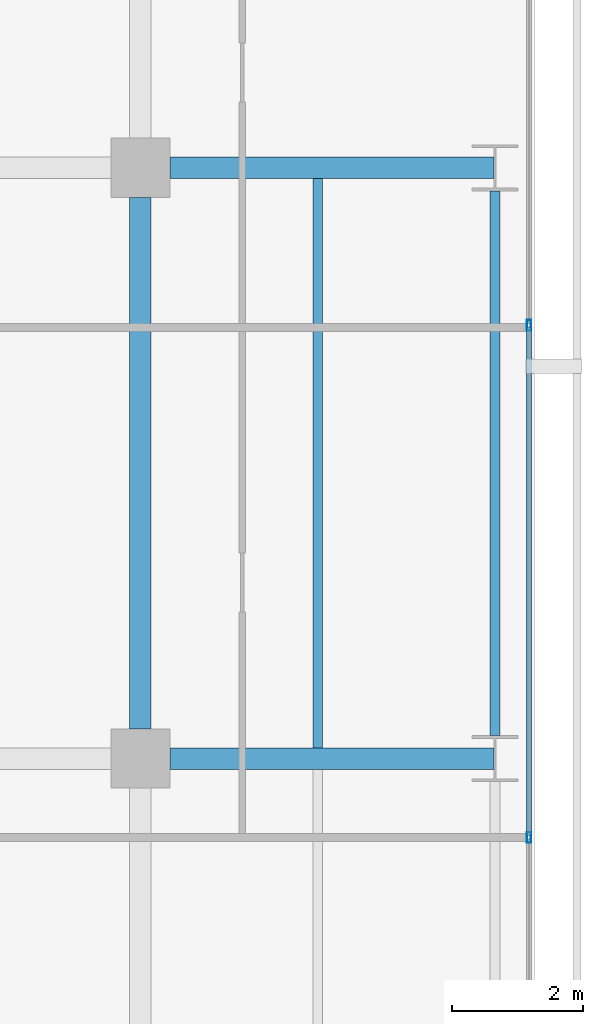
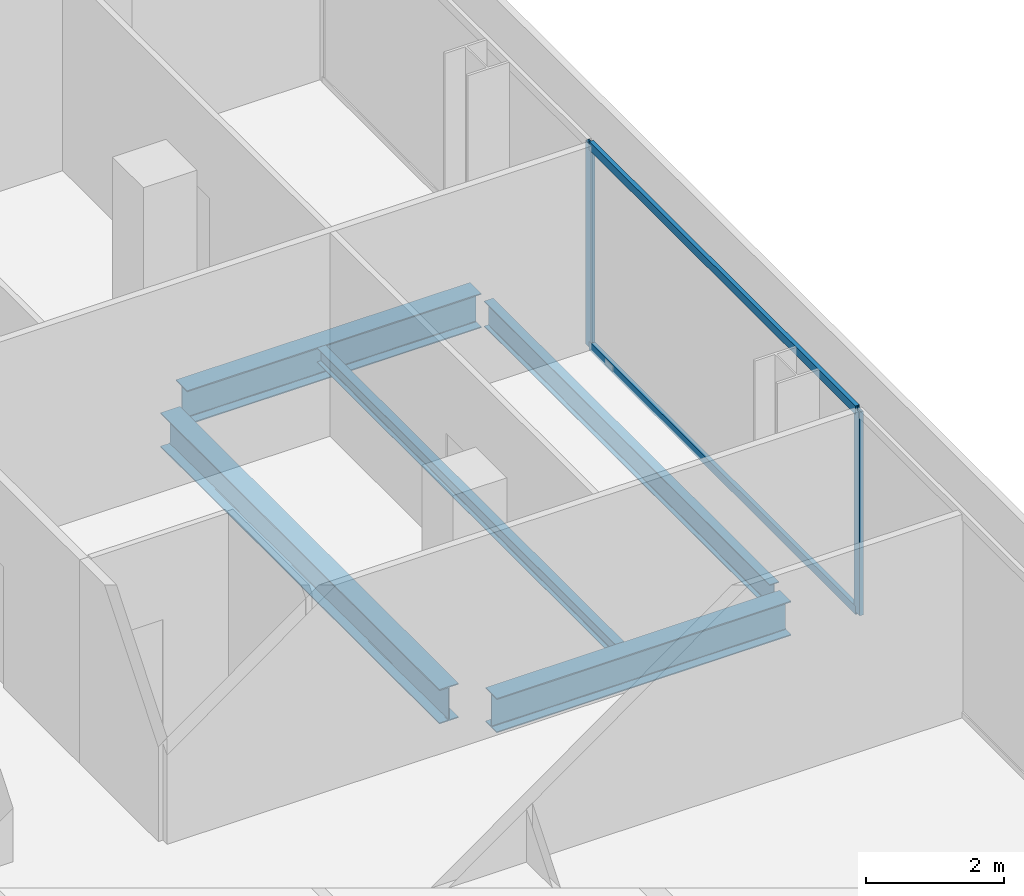
# One storey, part 28 of 40: 5 beams, 4 members, 1 element without a shape of its own.
"""IFC4 building model written with IfcOpenShell, lengths in metres."""

from ifc_helpers import new_model, si_unit, direction, frame, origin, origin_2d, place, context, subcontext, project, spatial, hollow_rectangle, i_section, extrude, material, layer, layer_set, material_profile, profile_set, type_object, element, aggregate, save


model = new_model("IFC4")

# Units and contexts
model_context = context("Model", 3, precision=1e-05, world=origin(), true_north=direction((0.0, 1.0)))
body_context = subcontext(model_context, "Body", "Model", "MODEL_VIEW")
ifc_project = project(units=[si_unit("LENGTHUNIT", "METRE"), si_unit("AREAUNIT", "SQUARE_METRE"), si_unit("VOLUMEUNIT", "CUBIC_METRE"), si_unit("PLANEANGLEUNIT", "RADIAN"), si_unit("MASSUNIT", "GRAM", prefix="KILO")], contexts=[model_context])

# Site, building, storey
site_placement = place(None, origin())
site = spatial("IfcSite", under=ifc_project, at=site_placement, CompositionType="ELEMENT")
building_placement = place(site_placement, origin())
building = spatial("IfcBuilding", under=site, at=building_placement, Name="Maruvema Waterfront Hotel and Observation Tower", CompositionType="ELEMENT")
storey_placement = place(building_placement, frame((0.0, 0.0, 96.25)))
storey = spatial("IfcBuildingStorey", under=building, at=storey_placement, Name="L23", CompositionType="ELEMENT", Elevation=96.25)

# Curtain wall, members
ifc_material_1 = material(Name="Anodised bronze aluminium and solar-control low-E IGU", Category="aluminium")
ifc_layer = layer(ifc_material_1, 0.159912109375, Name="Zone 1 Bronze Inner Thermal Curtain Wall System CW-02")
ifc_layer_set = layer_set([ifc_layer], Name="Anodised bronze aluminium and solar-control low-E IGU")
curtain_wall_type = type_object("IfcCurtainWallType", Name="Zone 1 Bronze Inner Thermal Curtain Wall System CW-02", PredefinedType="USERDEFINED", material=ifc_layer_set)
curtain_wall_placement = place(storey_placement, origin())
curtain_wall = element("IfcCurtainWall", 1, at=curtain_wall_placement, inside=storey, type_object=curtain_wall_type, Name="L23 Curtain Wall CW-L23-E", ObjectType="UNITISED CURTAIN WALL", PredefinedType="USERDEFINED")
ifc_material_2 = material(Name="Anodised architectural bronze aluminium", Category="aluminium")
ifc_material_profile_1 = material_profile(ifc_material_2, hollow_rectangle(XDim=0.070068359375, YDim=0.14990234375, WallThickness=0.00390625, at=origin_2d()), Name="ALU-T70x150")
ifc_profile_set_1 = profile_set([ifc_material_profile_1], Name="Anodised architectural bronze aluminium")
member_type_1 = type_object("IfcMemberType", Name="Curtain Wall Horizontal Transom ALU-T70x150", PredefinedType="USERDEFINED", material=ifc_profile_set_1)
member_1_placement = place(storey_placement, frame((64.719970703125, 34.830078125, 0.030029296875), z_axis=(0.0, 1.0, 0.0), x_axis=(-1.0, 0.0, 0.0)))
member_1 = element("IfcMember", 2, at=member_1_placement, type_object=member_type_1, Name="CW-02 transom 5.1", ObjectType="TRANSOM", PredefinedType="USERDEFINED", context=body_context, shape_type="SweptSolid", body=[
    extrude(hollow_rectangle(XDim=0.070068359375, YDim=0.14990234375, WallThickness=0.00390625, at=origin_2d()), origin(), (0.0, 0.0, 1.0), 7.739990234375),
])
member_2_placement = place(storey_placement, frame((64.719970703125, 34.830078125, 3.580078125), z_axis=(0.0, 1.0, 0.0), x_axis=(-1.0, 0.0, 0.0)))
member_2 = element("IfcMember", 3, at=member_2_placement, type_object=member_type_1, Name="CW-02 transom 5.2", ObjectType="TRANSOM", PredefinedType="USERDEFINED", context=body_context, shape_type="SweptSolid", body=[
    extrude(hollow_rectangle(XDim=0.070068359375, YDim=0.14990234375, WallThickness=0.00390625, at=origin_2d()), origin(), (0.0, 0.0, 1.0), 7.739990234375),
])
ifc_material_3 = material(Name="Anodised architectural bronze aluminium", Category="aluminium")
ifc_material_profile_2 = material_profile(ifc_material_3, hollow_rectangle(XDim=0.06494140625, YDim=0.1650390625, WallThickness=0.00390625, at=origin_2d()), Name="ALU-M65x165")
ifc_profile_set_2 = profile_set([ifc_material_profile_2], Name="Anodised architectural bronze aluminium")
member_type_2 = type_object("IfcMemberType", Name="Curtain Wall Primary Mullion ALU-M65x165", PredefinedType="MULLION", material=ifc_profile_set_2)
member_3_placement = place(storey_placement, frame((64.719970703125, 34.800048828125, 0.0), z_axis=(0.0, 0.0, 1.0), x_axis=(-1.0, 0.0, 0.0)))
member_3 = element("IfcMember", 4, at=member_3_placement, type_object=member_type_2, Name="CW-02 mullion 5", PredefinedType="MULLION", context=body_context, shape_type="SweptSolid", body=[
    extrude(hollow_rectangle(XDim=0.06494140625, YDim=0.1650390625, WallThickness=0.00390625, at=origin_2d()), origin(), (0.0, 0.0, 1.0), 3.610107421875),
])
member_4_placement = place(storey_placement, frame((64.719970703125, 42.60009765625, 0.0), z_axis=(0.0, 0.0, 1.0), x_axis=(-1.0, 0.0, 0.0)))
member_4 = element("IfcMember", 5, at=member_4_placement, type_object=member_type_2, Name="CW-02 mullion 6", PredefinedType="MULLION", context=body_context, shape_type="SweptSolid", body=[
    extrude(hollow_rectangle(XDim=0.06494140625, YDim=0.1650390625, WallThickness=0.00390625, at=origin_2d()), origin(), (0.0, 0.0, 1.0), 3.610107421875),
])
aggregate(curtain_wall, [member_3, member_4, member_1, member_2])

# Beams
ifc_material_4 = material(Name="Steel ASTM A572 Grade 50", Category="steel")
ifc_material_profile_3 = material_profile(ifc_material_4, i_section(OverallWidth=0.153076171875, OverallDepth=0.455078125, WebThickness=0.008056640625, FlangeThickness=0.01318359375, FilletRadius=0.014892578125, at=origin_2d()), Name="W460x60.0")
ifc_profile_set_3 = profile_set([ifc_material_profile_3], Name="Steel ASTM A572 Grade 50")
beam_type_1 = type_object("IfcBeamType", Name="Perimeter Spandrel Beam W460x60.0", PredefinedType="SPANDREL", material=ifc_profile_set_3)
beam_1_placement = place(storey_placement, frame((64.199951171875, 36.35009765625, -0.467529296875), z_axis=(0.0, 1.0, 0.0), x_axis=(-1.0, 0.0, 0.0)))
element("IfcBeam", 6, at=beam_1_placement, inside=storey, type_object=beam_type_1, Name="L23 Floor Girder NS-36", PredefinedType="SPANDREL", context=body_context, shape_type="SweptSolid", body=[
    extrude(i_section(OverallWidth=0.153076171875, OverallDepth=0.455078125, WebThickness=0.008056640625, FlangeThickness=0.01318359375, FilletRadius=0.014892578125, at=origin_2d()), origin(), (0.0, 0.0, 1.0), 8.2998046875),
])
ifc_material_5 = material(Name="Steel ASTM A572 Grade 50", Category="steel")
ifc_material_profile_4 = material_profile(ifc_material_5, i_section(OverallWidth=0.323974609375, OverallDepth=0.611083984375, WebThickness=0.0126953125, FlangeThickness=0.01904296875, FilletRadius=0.01806640625, at=origin_2d()), Name="W610x155.0")
ifc_profile_set_4 = profile_set([ifc_material_profile_4], Name="Steel ASTM A572 Grade 50")
beam_type_2 = type_object("IfcBeamType", Name="Primary Floor Girder W610x155.0", PredefinedType="BEAM", material=ifc_profile_set_4)
for number, where, z_axis, x_axis, name in (
    (7, (59.25, 36.0, -0.54541015625), (1.0, 0.0, 0.0), (0.0, 1.0, 0.0), "L23 Floor Girder EW-31"),
    (8, (59.25, 45.0, -0.54541015625), (1.0, 0.0, 0.0), (0.0, 1.0, 0.0), "L23 Floor Girder EW-35"),
):
    element("IfcBeam", number, at=place(storey_placement, frame(where, z_axis=z_axis, x_axis=x_axis)), inside=storey, type_object=beam_type_2, Name=name, PredefinedType="BEAM", context=body_context, shape_type="SweptSolid", body=[
        extrude(i_section(OverallWidth=0.323974609375, OverallDepth=0.611083984375, WebThickness=0.0126953125, FlangeThickness=0.01904296875, FilletRadius=0.01806640625, at=origin_2d()), origin(), (0.0, 0.0, 1.0), 4.93603515625),
    ])
beam_2_placement = place(storey_placement, frame((58.800048828125, 36.449951171875, -0.54541015625), z_axis=(0.0, 1.0, 0.0), x_axis=(-1.0, 0.0, 0.0)))
element("IfcBeam", 9, at=beam_2_placement, inside=storey, type_object=beam_type_2, Name="L23 Floor Girder NS-31", PredefinedType="BEAM", context=body_context, shape_type="SweptSolid", body=[
    extrude(i_section(OverallWidth=0.323974609375, OverallDepth=0.611083984375, WebThickness=0.0126953125, FlangeThickness=0.01904296875, FilletRadius=0.01806640625, at=origin_2d()), origin(), (0.0, 0.0, 1.0), 8.10009765625),
])
ifc_material_6 = material(Name="Steel ASTM A572 Grade 50", Category="steel")
ifc_material_profile_5 = material_profile(ifc_material_6, i_section(OverallWidth=0.14599609375, OverallDepth=0.258056640625, WebThickness=0.006103515625, FlangeThickness=0.009033203125, FilletRadius=0.012939453125, at=origin_2d()), Name="W250x32.7")
ifc_profile_set_5 = profile_set([ifc_material_profile_5], Name="Steel ASTM A572 Grade 50")
beam_type_3 = type_object("IfcBeamType", Name="Secondary Floor Joist W250x32.7", PredefinedType="JOIST", material=ifc_profile_set_5)
beam_3_placement = place(storey_placement, frame((61.5, 36.162109375, -0.368896484375), z_axis=(0.0, 1.0, 0.0), x_axis=(-1.0, 0.0, 0.0)))
element("IfcBeam", 10, at=beam_3_placement, inside=storey, type_object=beam_type_3, Name="L23 Secondary Floor Joist JS-24", PredefinedType="JOIST", context=body_context, shape_type="SweptSolid", body=[
    extrude(i_section(OverallWidth=0.14599609375, OverallDepth=0.258056640625, WebThickness=0.006103515625, FlangeThickness=0.009033203125, FilletRadius=0.012939453125, at=origin_2d()), origin(), (0.0, 0.0, 1.0), 8.67578125),
])

save(model, "model.ifc")
